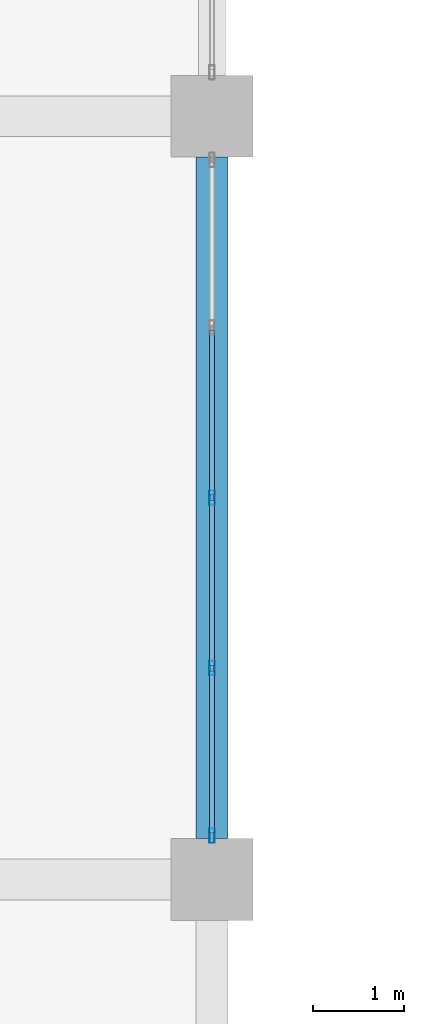
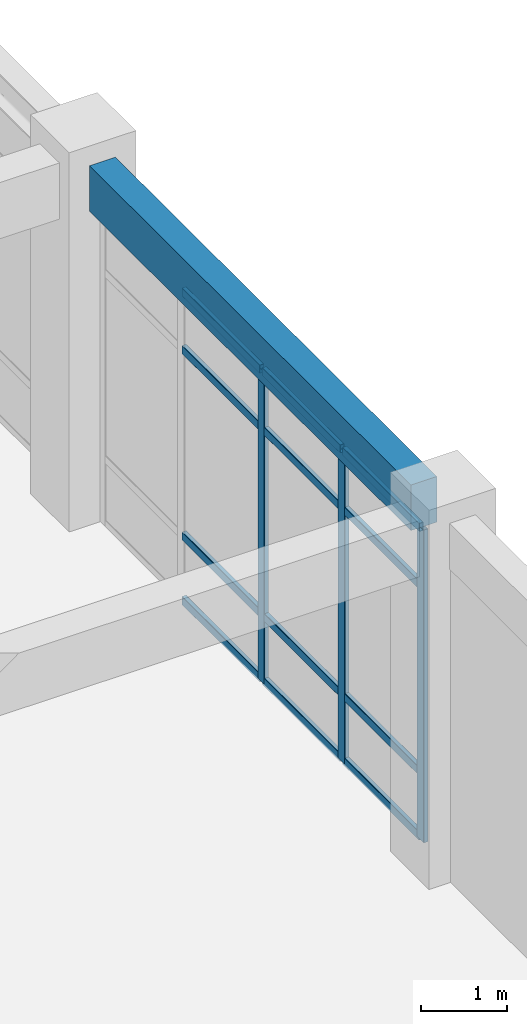
# One storey, part 62 of 114: 15 members, 1 beam, 1 element without a shape of its own.
"""IFC4 building model written with IfcOpenShell, lengths in metres."""

from ifc_helpers import new_model, si_unit, derived_unit, direction, frame, origin, origin_2d, place, context, subcontext, project, spatial, rectangle, hollow_rectangle, extrude, material, layer, layer_set, material_profile, profile_set, type_object, element, aggregate, save


model = new_model("IFC4")

# Units and contexts
model_context = context("Model", 3, precision=1e-05, world=origin(), true_north=direction((0.0, 1.0)))
body_context = subcontext(model_context, "Body", "Model", "MODEL_VIEW")
ifc_project = project(units=[si_unit("LENGTHUNIT", "METRE"), si_unit("AREAUNIT", "SQUARE_METRE"), si_unit("VOLUMEUNIT", "CUBIC_METRE"), si_unit("PLANEANGLEUNIT", "RADIAN"), si_unit("MASSUNIT", "GRAM", prefix="KILO"), derived_unit("THERMALTRANSMITTANCEUNIT", [(si_unit("MASSUNIT", "GRAM", prefix="KILO"), 1), (si_unit("TIMEUNIT", "SECOND"), -3), (si_unit("THERMODYNAMICTEMPERATUREUNIT", "KELVIN"), -1)])], contexts=[model_context])

# Site, building, storey
site_placement = place(None, origin())
site = spatial("IfcSite", under=ifc_project, at=site_placement, CompositionType="ELEMENT")
building_placement = place(site_placement, origin())
building = spatial("IfcBuilding", under=site, at=building_placement, Name="Qinzheling Arcade Emporium", CompositionType="ELEMENT")
storey_placement = place(building_placement, frame((0.0, 0.0, 6.0)))
storey = spatial("IfcBuildingStorey", under=building, at=storey_placement, Name="L02", CompositionType="ELEMENT", Elevation=6.0)

# Curtain wall, members
ifc_material_1 = material(Name="Anodised aluminium and solar-control double glazing", Category="aluminium")
ifc_layer = layer(ifc_material_1, 0.159912109375, Name="Anodised aluminium and solar-control double glazing", Category="aluminium")
ifc_layer_set = layer_set([ifc_layer], Name="Anodised aluminium and solar-control double glazing")
curtain_wall_type = type_object("IfcCurtainWallType", Name="Arcade Portal Glazed Curtain Wall", PredefinedType="NOTDEFINED", material=ifc_layer_set)
curtain_wall_placement = place(storey_placement, origin())
curtain_wall = element("IfcCurtainWall", 1, at=curtain_wall_placement, inside=storey, type_object=curtain_wall_type, Name="Curtain Wall CW-L02-125", PredefinedType="NOTDEFINED")
ifc_material_2 = material(Name="Anodised aluminium 6063-T6", Category="aluminium")
ifc_material_profile_1 = material_profile(ifc_material_2, hollow_rectangle(XDim=0.06005859375, YDim=0.159912109375, WallThickness=0.00390625, InnerFilletRadius=0.00390625, OuterFilletRadius=0.008056640625, at=origin_2d()), Name="RHS 160x60x4", Category="aluminium")
ifc_profile_set_1 = profile_set([ifc_material_profile_1], Name="Anodised aluminium 6063-T6")
member_type_1 = type_object("IfcMemberType", Name="Curtain Wall Mullion RHS160x60", PredefinedType="MULLION", material=ifc_profile_set_1)
member_1_placement = place(storey_placement, frame((130.5, 46.199951171875, 0.0), z_axis=(0.0, 0.0, 1.0), x_axis=(1.0, 0.0, 0.0)))
member_1 = element("IfcMember", 2, at=member_1_placement, type_object=member_type_1, Name="CW05 mullion 3", PredefinedType="MULLION", context=body_context, shape_type="SweptSolid", body=[
    extrude(hollow_rectangle(XDim=0.06005859375, YDim=0.159912109375, WallThickness=0.00390625, InnerFilletRadius=0.00390625, OuterFilletRadius=0.008056640625, at=origin_2d()), origin(), (0.0, 0.0, 1.0), 4.455078125),
])
member_2_placement = place(storey_placement, frame((130.5, 44.325927734375, 0.0), z_axis=(0.0, 0.0, 1.0), x_axis=(1.0, 0.0, 0.0)))
member_2 = element("IfcMember", 3, at=member_2_placement, type_object=member_type_1, Name="CW05 mullion 4", PredefinedType="MULLION", context=body_context, shape_type="SweptSolid", body=[
    extrude(hollow_rectangle(XDim=0.06005859375, YDim=0.159912109375, WallThickness=0.00390625, InnerFilletRadius=0.00390625, OuterFilletRadius=0.008056640625, at=origin_2d()), origin(), (0.0, 0.0, 1.0), 4.455078125),
])
member_3_placement = place(storey_placement, frame((130.5, 42.48193359375, 0.0), z_axis=(0.0, 0.0, 1.0), x_axis=(1.0, 0.0, 0.0)))
member_3 = element("IfcMember", 4, at=member_3_placement, type_object=member_type_1, Name="CW05 mullion 5", PredefinedType="MULLION", context=body_context, shape_type="SweptSolid", body=[
    extrude(hollow_rectangle(XDim=0.06005859375, YDim=0.159912109375, WallThickness=0.00390625, InnerFilletRadius=0.00390625, OuterFilletRadius=0.008056640625, at=origin_2d()), origin(), (0.0, 0.0, 1.0), 4.455078125),
])
ifc_material_profile_2 = material_profile(ifc_material_2, hollow_rectangle(XDim=0.06005859375, YDim=0.1201171875, WallThickness=0.00390625, InnerFilletRadius=0.00390625, OuterFilletRadius=0.008056640625, at=origin_2d()), Name="RHS 120x60x4", Category="aluminium")
ifc_profile_set_2 = profile_set([ifc_material_profile_2], Name="Anodised aluminium 6063-T6")
member_type_2 = type_object("IfcMemberType", Name="Curtain Wall Transom RHS120x60", PredefinedType="USERDEFINED", material=ifc_profile_set_2)
member_4_placement = place(storey_placement, frame((130.5, 48.0439453125, 0.030029296875), z_axis=(0.0, -1.0, 0.0), x_axis=(1.0, 0.0, 0.0)))
member_4 = element("IfcMember", 5, at=member_4_placement, type_object=member_type_2, Name="CW05 transom 2.1", ObjectType="TRANSOM", PredefinedType="USERDEFINED", context=body_context, shape_type="SweptSolid", body=[
    extrude(hollow_rectangle(XDim=0.06005859375, YDim=0.1201171875, WallThickness=0.00390625, InnerFilletRadius=0.00390625, OuterFilletRadius=0.008056640625, at=origin_2d()), origin(), (0.0, 0.0, 1.0), 1.81396484375),
])
member_5_placement = place(storey_placement, frame((130.5, 48.0439453125, 0.949951171875), z_axis=(0.0, -1.0, 0.0), x_axis=(1.0, 0.0, 0.0)))
member_5 = element("IfcMember", 6, at=member_5_placement, type_object=member_type_2, Name="CW05 transom 2.2", ObjectType="TRANSOM", PredefinedType="USERDEFINED", context=body_context, shape_type="SweptSolid", body=[
    extrude(hollow_rectangle(XDim=0.06005859375, YDim=0.1201171875, WallThickness=0.00390625, InnerFilletRadius=0.00390625, OuterFilletRadius=0.008056640625, at=origin_2d()), origin(), (0.0, 0.0, 1.0), 1.81396484375),
])
member_6_placement = place(storey_placement, frame((130.5, 48.0439453125, 3.60498046875), z_axis=(0.0, -1.0, 0.0), x_axis=(1.0, 0.0, 0.0)))
member_6 = element("IfcMember", 7, at=member_6_placement, type_object=member_type_2, Name="CW05 transom 2.3", ObjectType="TRANSOM", PredefinedType="USERDEFINED", context=body_context, shape_type="SweptSolid", body=[
    extrude(hollow_rectangle(XDim=0.06005859375, YDim=0.1201171875, WallThickness=0.00390625, InnerFilletRadius=0.00390625, OuterFilletRadius=0.008056640625, at=origin_2d()), origin(), (0.0, 0.0, 1.0), 1.81396484375),
])
member_7_placement = place(storey_placement, frame((130.5, 48.0439453125, 4.425048828125), z_axis=(0.0, -1.0, 0.0), x_axis=(1.0, 0.0, 0.0)))
member_7 = element("IfcMember", 8, at=member_7_placement, type_object=member_type_2, Name="CW05 transom 2.4", ObjectType="TRANSOM", PredefinedType="USERDEFINED", context=body_context, shape_type="SweptSolid", body=[
    extrude(hollow_rectangle(XDim=0.06005859375, YDim=0.1201171875, WallThickness=0.00390625, InnerFilletRadius=0.00390625, OuterFilletRadius=0.008056640625, at=origin_2d()), origin(), (0.0, 0.0, 1.0), 1.81396484375),
])
member_8_placement = place(storey_placement, frame((130.5, 46.169921875, 0.030029296875), z_axis=(0.0, -1.0, 0.0), x_axis=(1.0, 0.0, 0.0)))
member_8 = element("IfcMember", 9, at=member_8_placement, type_object=member_type_2, Name="CW05 transom 3.1", ObjectType="TRANSOM", PredefinedType="USERDEFINED", context=body_context, shape_type="SweptSolid", body=[
    extrude(hollow_rectangle(XDim=0.06005859375, YDim=0.1201171875, WallThickness=0.00390625, InnerFilletRadius=0.00390625, OuterFilletRadius=0.008056640625, at=origin_2d()), origin(), (0.0, 0.0, 1.0), 1.81396484375),
])
member_9_placement = place(storey_placement, frame((130.5, 46.169921875, 0.949951171875), z_axis=(0.0, -1.0, 0.0), x_axis=(1.0, 0.0, 0.0)))
member_9 = element("IfcMember", 10, at=member_9_placement, type_object=member_type_2, Name="CW05 transom 3.2", ObjectType="TRANSOM", PredefinedType="USERDEFINED", context=body_context, shape_type="SweptSolid", body=[
    extrude(hollow_rectangle(XDim=0.06005859375, YDim=0.1201171875, WallThickness=0.00390625, InnerFilletRadius=0.00390625, OuterFilletRadius=0.008056640625, at=origin_2d()), origin(), (0.0, 0.0, 1.0), 1.81396484375),
])
member_10_placement = place(storey_placement, frame((130.5, 46.169921875, 3.60498046875), z_axis=(0.0, -1.0, 0.0), x_axis=(1.0, 0.0, 0.0)))
member_10 = element("IfcMember", 11, at=member_10_placement, type_object=member_type_2, Name="CW05 transom 3.3", ObjectType="TRANSOM", PredefinedType="USERDEFINED", context=body_context, shape_type="SweptSolid", body=[
    extrude(hollow_rectangle(XDim=0.06005859375, YDim=0.1201171875, WallThickness=0.00390625, InnerFilletRadius=0.00390625, OuterFilletRadius=0.008056640625, at=origin_2d()), origin(), (0.0, 0.0, 1.0), 1.81396484375),
])
member_11_placement = place(storey_placement, frame((130.5, 46.169921875, 4.425048828125), z_axis=(0.0, -1.0, 0.0), x_axis=(1.0, 0.0, 0.0)))
member_11 = element("IfcMember", 12, at=member_11_placement, type_object=member_type_2, Name="CW05 transom 3.4", ObjectType="TRANSOM", PredefinedType="USERDEFINED", context=body_context, shape_type="SweptSolid", body=[
    extrude(hollow_rectangle(XDim=0.06005859375, YDim=0.1201171875, WallThickness=0.00390625, InnerFilletRadius=0.00390625, OuterFilletRadius=0.008056640625, at=origin_2d()), origin(), (0.0, 0.0, 1.0), 1.81396484375),
])
member_12_placement = place(storey_placement, frame((130.5, 44.2958984375, 0.030029296875), z_axis=(0.0, -1.0, 0.0), x_axis=(1.0, 0.0, 0.0)))
member_12 = element("IfcMember", 13, at=member_12_placement, type_object=member_type_2, Name="CW05 transom 4.1", ObjectType="TRANSOM", PredefinedType="USERDEFINED", context=body_context, shape_type="SweptSolid", body=[
    extrude(hollow_rectangle(XDim=0.06005859375, YDim=0.1201171875, WallThickness=0.00390625, InnerFilletRadius=0.00390625, OuterFilletRadius=0.008056640625, at=origin_2d()), origin(), (0.0, 0.0, 1.0), 1.783935546875),
])
member_13_placement = place(storey_placement, frame((130.5, 44.2958984375, 0.949951171875), z_axis=(0.0, -1.0, 0.0), x_axis=(1.0, 0.0, 0.0)))
member_13 = element("IfcMember", 14, at=member_13_placement, type_object=member_type_2, Name="CW05 transom 4.2", ObjectType="TRANSOM", PredefinedType="USERDEFINED", context=body_context, shape_type="SweptSolid", body=[
    extrude(hollow_rectangle(XDim=0.06005859375, YDim=0.1201171875, WallThickness=0.00390625, InnerFilletRadius=0.00390625, OuterFilletRadius=0.008056640625, at=origin_2d()), origin(), (0.0, 0.0, 1.0), 1.783935546875),
])
member_14_placement = place(storey_placement, frame((130.5, 44.2958984375, 3.60498046875), z_axis=(0.0, -1.0, 0.0), x_axis=(1.0, 0.0, 0.0)))
member_14 = element("IfcMember", 15, at=member_14_placement, type_object=member_type_2, Name="CW05 transom 4.3", ObjectType="TRANSOM", PredefinedType="USERDEFINED", context=body_context, shape_type="SweptSolid", body=[
    extrude(hollow_rectangle(XDim=0.06005859375, YDim=0.1201171875, WallThickness=0.00390625, InnerFilletRadius=0.00390625, OuterFilletRadius=0.008056640625, at=origin_2d()), origin(), (0.0, 0.0, 1.0), 1.783935546875),
])
member_15_placement = place(storey_placement, frame((130.5, 44.2958984375, 4.425048828125), z_axis=(0.0, -1.0, 0.0), x_axis=(1.0, 0.0, 0.0)))
member_15 = element("IfcMember", 16, at=member_15_placement, type_object=member_type_2, Name="CW05 transom 4.4", ObjectType="TRANSOM", PredefinedType="USERDEFINED", context=body_context, shape_type="SweptSolid", body=[
    extrude(hollow_rectangle(XDim=0.06005859375, YDim=0.1201171875, WallThickness=0.00390625, InnerFilletRadius=0.00390625, OuterFilletRadius=0.008056640625, at=origin_2d()), origin(), (0.0, 0.0, 1.0), 1.783935546875),
])
aggregate(curtain_wall, [member_1, member_2, member_3, member_4, member_5, member_6, member_7, member_8, member_9, member_10, member_11, member_12, member_13, member_14, member_15])

# Beam
ifc_material_3 = material(Name="Concrete C40", Category="concrete")
ifc_material_profile_3 = material_profile(ifc_material_3, rectangle(XDim=0.35009765625, YDim=0.64990234375, at=origin_2d()), Name="RC 350x650", Category="concrete")
ifc_profile_set_3 = profile_set([ifc_material_profile_3], Name="Concrete C40")
beam_type = type_object("IfcBeamType", Name="RC Spandrel Edge Beam 350x650 C40", PredefinedType="SPANDREL", material=ifc_profile_set_3)
beam_placement = place(storey_placement, frame((130.5, 42.449951171875, 4.794921875), z_axis=(0.0, 1.0, 0.0), x_axis=(-1.0, 0.0, 0.0)))
element("IfcBeam", 17, at=beam_placement, inside=storey, type_object=beam_type, Name="Beam BM-L02-Y-16-F", PredefinedType="SPANDREL", context=body_context, shape_type="SweptSolid", body=[
    extrude(rectangle(XDim=0.35009765625, YDim=0.64990234375, at=origin_2d()), origin(), (0.0, 0.0, 1.0), 7.5),
])

save(model, "model.ifc")
